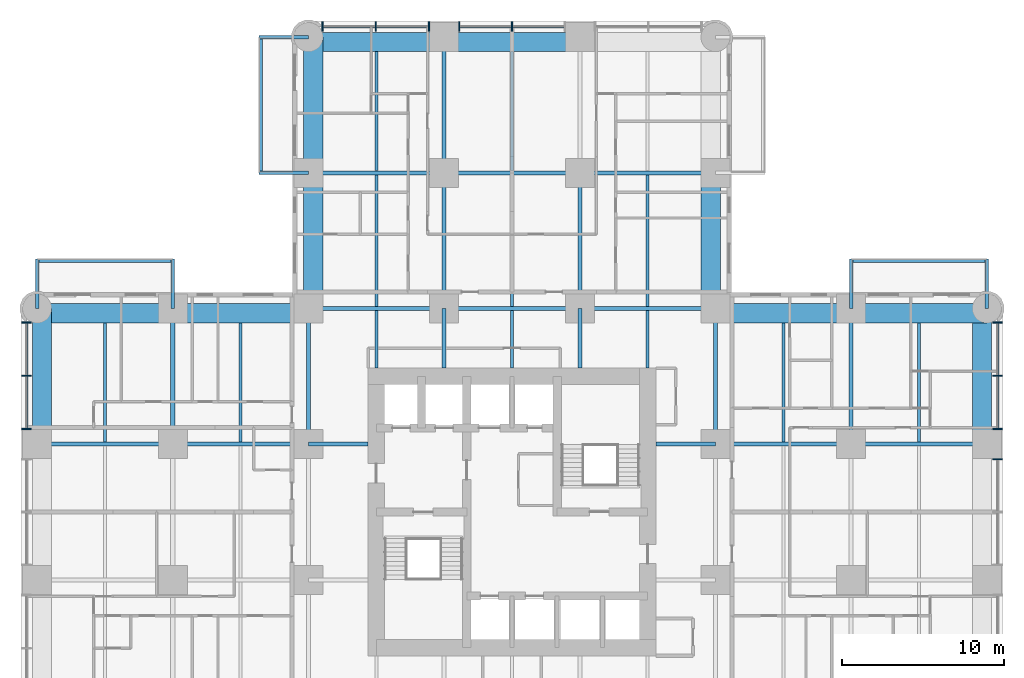
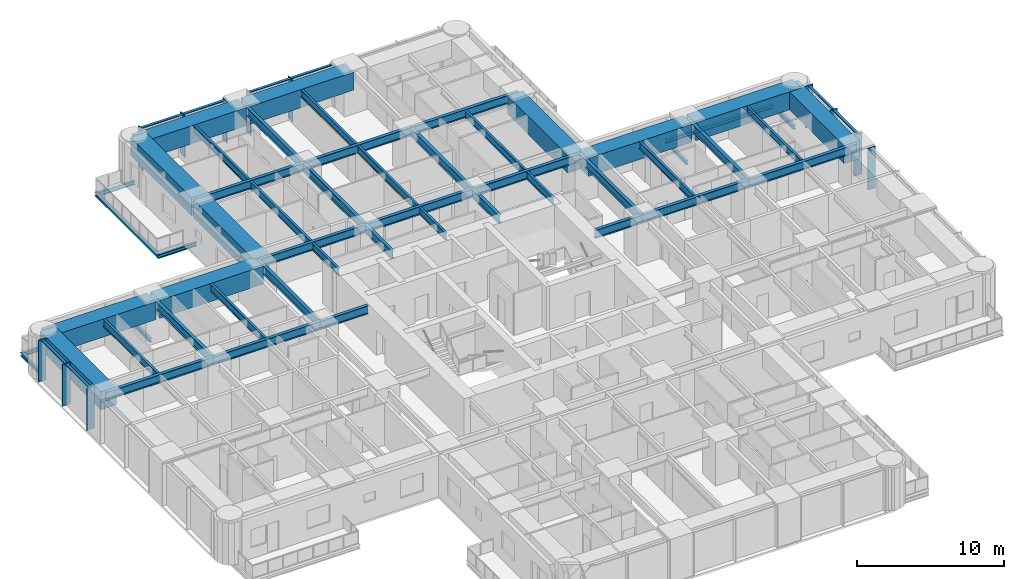
# One storey, part 4 of 17: 53 beams, 20 members, 3 elements without a shape of their own.
"""IFC4 building model written with IfcOpenShell, lengths in metres."""

import ifcopenshell
import ifcopenshell.guid

model = None  # the IFC model being written
_history = None  # IfcOwnerHistory: only IFC2X3 demands one
_inside = {}  # id of a spatial element -> (the spatial element, [elements in it])
_under = {}  # id of a project, library or spatial element -> (it, [spatial elements below it])
_declared = {}  # id of a project -> (the project, [libraries it declares])
_typed = {}  # id of a type object -> (the type object, [elements of that type])
_made_of = {}  # id of a material, layer set ... -> (it, [elements and type objects made of it])


def new_model(schema):
    """Start an empty IFC model of exactly this schema.

    Asked for "IFC4X3", IfcOpenShell would pick the latest addendum, in which some entities
    have other attributes; the version numbers below select the first issue.
    IFC2X3 requires an IfcOwnerHistory on every rooted entity: one is made here for all.
    """
    global model, _history
    if schema == "IFC4X3":
        model = ifcopenshell.file(schema_version=(4, 3, 0, 0))
    else:
        model = ifcopenshell.file(schema=schema)
    _inside.clear()
    _under.clear()
    _declared.clear()
    _typed.clear()
    _made_of.clear()
    _history = None
    if model.schema == "IFC2X3":
        org = make("IfcOrganization", Name="unknown")
        user = make(
            "IfcPersonAndOrganization",
            ThePerson=make("IfcPerson", FamilyName="unknown"),
            TheOrganization=org,
        )
        app = make(
            "IfcApplication",
            ApplicationDeveloper=org,
            Version="unknown",
            ApplicationFullName="unknown",
            ApplicationIdentifier="unknown",
        )
        _history = make(
            "IfcOwnerHistory",
            OwningUser=user,
            OwningApplication=app,
            ChangeAction="ADDED",
            CreationDate=0,
        )
    return model


def make(cls, **values):
    """One entity of the class cls with the attributes given. An attribute that is None is left unset."""
    return model.create_entity(
        cls, **{name: value for name, value in values.items() if value is not None}
    )


def rooted(cls, **values):
    """An entity with a GlobalId (a new one), such as an element, a storey or a relation."""
    return make(cls, GlobalId=ifcopenshell.guid.new(), OwnerHistory=_history, **values)


def si_unit(unit_type, name, prefix=None):
    """IfcSIUnit, for example si_unit("LENGTHUNIT", "METRE", prefix="MILLI")."""
    return make("IfcSIUnit", UnitType=unit_type, Prefix=prefix, Name=name)


def assignment(units):
    """IfcUnitAssignment: the units of a project."""
    return None if units is None else make("IfcUnitAssignment", Units=units)


def point(xyz):
    """IfcCartesianPoint."""
    return None if xyz is None else make("IfcCartesianPoint", Coordinates=xyz)


def direction(xyz):
    """IfcDirection."""
    return None if xyz is None else make("IfcDirection", DirectionRatios=xyz)


def frame(location, z_axis=None, x_axis=None):
    """IfcAxis2Placement3D, a coordinate frame: its origin and axes. An axis left out is left unset."""
    return make(
        "IfcAxis2Placement3D",
        Location=point(location),
        Axis=direction(z_axis),
        RefDirection=direction(x_axis),
    )


def frame_2d(location, x_axis=None):
    """IfcAxis2Placement2D, a coordinate frame in the plane: its origin and x axis."""
    return make(
        "IfcAxis2Placement2D", Location=point(location), RefDirection=direction(x_axis)
    )


def origin():
    """The frame at (0, 0, 0) with its axes left unset."""
    return frame((0.0, 0.0, 0.0))


def origin_2d():
    """The frame at (0, 0) in the plane with its x axis left unset."""
    return frame_2d((0.0, 0.0))


def place(relative_to, where):
    """IfcLocalPlacement: puts the frame where relative to a parent placement (None: the world)."""
    return make(
        "IfcLocalPlacement", PlacementRelTo=relative_to, RelativePlacement=where
    )


def context(
    kind, dimensions, precision=None, world=None, true_north=None, identifier=None
):
    """IfcGeometricRepresentationContext, for example the 3D "Model" context."""
    return make(
        "IfcGeometricRepresentationContext",
        ContextIdentifier=identifier,
        ContextType=kind,
        CoordinateSpaceDimension=dimensions,
        Precision=precision,
        WorldCoordinateSystem=world,
        TrueNorth=true_north,
    )


def subcontext(parent, identifier, kind, view, scale=None):
    """IfcGeometricRepresentationSubContext, for example "Body" below "Model"."""
    return make(
        "IfcGeometricRepresentationSubContext",
        ContextIdentifier=identifier,
        ContextType=kind,
        ParentContext=parent,
        TargetScale=scale,
        TargetView=view,
    )


def project(units=None, contexts=None):
    """IfcProject with its units and contexts."""
    return rooted(
        "IfcProject",
        Name="project",
        RepresentationContexts=contexts,
        UnitsInContext=assignment(units),
    )


def spatial(cls, under=None, at=None, **own):
    """A site, building, storey or space (cls), placed at a placement, below another one or the project."""
    s = rooted(cls, ObjectPlacement=at, **own)
    if under is not None:
        _under.setdefault(under.id(), (under, []))[1].append(s)
    return s


def profile(cls, at=None, kind="AREA", **sizes):
    """A parametric profile (cls). Its sizes go by their IFC names, for example OverallWidth=200.0."""
    return make(cls, ProfileType=kind, Position=at, **sizes)


def rectangle(**sizes):
    """IfcRectangleProfileDef."""
    return profile("IfcRectangleProfileDef", **sizes)


def i_section(**sizes):
    """IfcIShapeProfileDef."""
    return profile("IfcIShapeProfileDef", **sizes)


def extrude(swept, where, along, depth):
    """IfcExtrudedAreaSolid: the profile swept, set in the frame where, extruded along a direction by depth."""
    return make(
        "IfcExtrudedAreaSolid",
        SweptArea=swept,
        Position=where,
        ExtrudedDirection=direction(along),
        Depth=depth,
    )


def shape(context_of_items, identifier, shape_type, items):
    """IfcShapeRepresentation: the items that make up one representation, for example the "Body"."""
    return make(
        "IfcShapeRepresentation",
        ContextOfItems=context_of_items,
        RepresentationIdentifier=identifier,
        RepresentationType=shape_type,
        Items=items,
    )


def material(Name=None, Category=None):
    """IfcMaterial."""
    return make("IfcMaterial", Name=Name, Category=Category)


def material_profile(
    of_material, cross_section, Name=None, Category=None, Priority=None
):
    """IfcMaterialProfile: a cross section and its material."""
    return make(
        "IfcMaterialProfile",
        Name=Name,
        Material=of_material,
        Profile=cross_section,
        Priority=Priority,
        Category=Category,
    )


def profile_set(profiles, Name=None, composite=None):
    """IfcMaterialProfileSet."""
    return make(
        "IfcMaterialProfileSet",
        Name=Name,
        MaterialProfiles=profiles,
        CompositeProfile=composite,
    )


def made_of(thing, what):
    """Note that an element or type object is made of a material, layer set ...; save() writes the relation."""
    if what is not None:
        _made_of.setdefault(what.id(), (what, []))[1].append(thing)
    return thing


def type_object(cls, material=None, **own):
    """A type object (cls), such as IfcWallType, which elements share."""
    return made_of(rooted(cls, **own), material)


def element(
    cls,
    number,
    at=None,
    inside=None,
    cuts=None,
    type_object=None,
    material=None,
    context=None,
    identifier="Body",
    shape_type=None,
    held_by="IfcProductDefinitionShape",
    body=None,
    shapes=None,
    **own,
):
    """One element of the class cls, such as IfcWall. Its Tag is "e" and its number.

    at: its placement. inside: the storey or other place that contains it. cuts: it is an
    opening in that element (IfcRelVoidsElement). A single representation is given by context,
    identifier, shape_type and body (its items); several are given by shapes. held_by: the class
    of the entity that holds the representations. save() writes the other relations.
    """
    e = rooted(cls, Tag="e%d" % number, ObjectPlacement=at, **own)
    if body is not None:
        shapes = [shape(context, identifier, shape_type, body)]
    if shapes is not None:
        e.Representation = make(held_by, Representations=shapes)
    if inside is not None:
        _inside.setdefault(inside.id(), (inside, []))[1].append(e)
    if cuts is not None:
        rooted(
            "IfcRelVoidsElement", RelatingBuildingElement=cuts, RelatedOpeningElement=e
        )
    if type_object is not None:
        _typed.setdefault(type_object.id(), (type_object, []))[1].append(e)
    return made_of(e, material)


def aggregate(whole, parts):
    """IfcRelAggregates: a whole, such as a stair, and the parts it consists of."""
    return rooted("IfcRelAggregates", RelatingObject=whole, RelatedObjects=parts)


def save(model, path):
    """Write the relations noted so far, then the file.

    IfcRelAggregates (storeys below a building ...), IfcRelContainedInSpatialStructure (elements
    in a storey), IfcRelDefinesByType, IfcRelAssociatesMaterial and IfcRelDeclares: one each for
    every whole, place, type object, material and project.
    """
    for whole, parts in _under.values():
        aggregate(whole, parts)
    for where, things in _inside.values():
        rooted(
            "IfcRelContainedInSpatialStructure",
            RelatedElements=things,
            RelatingStructure=where,
        )
    for kind, things in _typed.values():
        rooted("IfcRelDefinesByType", RelatedObjects=things, RelatingType=kind)
    for what, things in _made_of.values():
        rooted("IfcRelAssociatesMaterial", RelatedObjects=things, RelatingMaterial=what)
    for by, libraries in _declared.values():
        rooted("IfcRelDeclares", RelatingContext=by, RelatedDefinitions=libraries)
    model.write(path)


model = new_model("IFC4")

# Units and contexts
model_context = context("Model", 3, precision=1e-05, world=origin(), true_north=direction((0.0, 1.0)))
body_context = subcontext(model_context, "Body", "Model", "MODEL_VIEW")
ifc_project = project(units=[si_unit("LENGTHUNIT", "METRE"), si_unit("AREAUNIT", "SQUARE_METRE"), si_unit("VOLUMEUNIT", "CUBIC_METRE"), si_unit("PLANEANGLEUNIT", "RADIAN"), si_unit("MASSUNIT", "GRAM", prefix="KILO")], contexts=[model_context])

# Site, building, storey
site_placement = place(None, origin())
site = spatial("IfcSite", under=ifc_project, at=site_placement, CompositionType="ELEMENT")
building_placement = place(site_placement, origin())
building = spatial("IfcBuilding", under=site, at=building_placement, Name="Torre Alcanfor", CompositionType="ELEMENT")
storey_placement = place(building_placement, frame((0.0, 0.0, 41.699951171875)))
storey = spatial("IfcBuildingStorey", under=building, at=storey_placement, Name="L09", CompositionType="ELEMENT", Elevation=41.699951171875)

# Beams
ifc_material_1 = material(Name="Steel ASTM A992 Grade 50", Category="steel")
ifc_material_profile_1 = material_profile(ifc_material_1, i_section(OverallWidth=0.205322265625, OverallDepth=0.309814453125, WebThickness=0.00927734375, FlangeThickness=0.016357421875, at=origin_2d()), Name="W12x50")
ifc_profile_set_1 = profile_set([ifc_material_profile_1], Name="Steel ASTM A992 Grade 50")
beam_type_1 = type_object("IfcBeamType", Name="Balcony cantilever beam W12x50", PredefinedType="BEAM", material=ifc_profile_set_1)
for number, where, z_axis, x_axis, name in (
    (1, (16.800048828125, 50.39990234375, -0.35498046875), (-1.0, 0.0, 0.0), (0.0, -1.0, 0.0), "Balcony cantilever beam L09-N1 1"),
    (2, (16.800048828125, 58.800048828125, -0.35498046875), (-1.0, 0.0, 0.0), (0.0, -1.0, 0.0), "Balcony cantilever beam L09-N1 2"),
    (3, (50.39990234375, 42.0, -0.35498046875), (0.0, 1.0, 0.0), (-1.0, 0.0, 0.0), "Balcony cantilever beam L09-E1 1"),
    (4, (58.800048828125, 42.0, -0.35498046875), (0.0, 1.0, 0.0), (-1.0, 0.0, 0.0), "Balcony cantilever beam L09-E1 2"),
    (5, (8.39990234375, 42.0, -0.35498046875), (0.0, 1.0, 0.0), (-1.0, 0.0, 0.0), "Balcony cantilever beam L09-W2 1"),
    (6, (0.0, 42.0, -0.35498046875), (0.0, 1.0, 0.0), (-1.0, 0.0, 0.0), "Balcony cantilever beam L09-W2 2"),
):
    element("IfcBeam", number, at=place(storey_placement, frame(where, z_axis=z_axis, x_axis=x_axis)), inside=storey, type_object=beam_type_1, Name=name, PredefinedType="BEAM", context=body_context, shape_type="SweptSolid", body=[
        extrude(i_section(OverallWidth=0.205322265625, OverallDepth=0.309814453125, WebThickness=0.00927734375, FlangeThickness=0.016357421875, at=origin_2d()), origin(), (0.0, 0.0, 1.0), 3.050048828125),
    ])
ifc_material_2 = material(Name="Steel ASTM A992 Grade 50", Category="steel")
ifc_material_profile_2 = material_profile(ifc_material_2, i_section(OverallWidth=0.203369140625, OverallDepth=0.30224609375, WebThickness=0.007568359375, FlangeThickness=0.01318359375, at=origin_2d()), Name="W12x40")
ifc_profile_set_2 = profile_set([ifc_material_profile_2], Name="Steel ASTM A992 Grade 50")
beam_type_2 = type_object("IfcBeamType", Name="Balcony edge trimmer W12x40", PredefinedType="BEAM", material=ifc_profile_set_2)
for number, where, z_axis, x_axis, name in (
    (7, (13.851806640625, 50.39990234375, -0.35107421875), (0.0, 1.0, 0.0), (-1.0, 0.0, 0.0), "Balcony edge trimmer L09-N1"),
    (8, (50.39990234375, 44.9482421875, -0.35107421875), (1.0, 0.0, 0.0), (0.0, 1.0, 0.0), "Balcony edge trimmer L09-E1"),
):
    element("IfcBeam", number, at=place(storey_placement, frame(where, z_axis=z_axis, x_axis=x_axis)), inside=storey, type_object=beam_type_2, Name=name, PredefinedType="BEAM", context=body_context, shape_type="SweptSolid", body=[
        extrude(i_section(OverallWidth=0.203369140625, OverallDepth=0.30224609375, WebThickness=0.007568359375, FlangeThickness=0.01318359375, at=origin_2d()), origin(), (0.0, 0.0, 1.0), 8.400146484375),
    ])
beam_1_placement = place(storey_placement, frame((8.39990234375, 44.9482421875, -0.35107421875), z_axis=(-1.0, 0.0, 0.0), x_axis=(0.0, -1.0, 0.0)))
element("IfcBeam", 9, at=beam_1_placement, inside=storey, type_object=beam_type_2, Name="Balcony edge trimmer L09-W2", PredefinedType="BEAM", context=body_context, shape_type="SweptSolid", body=[
    extrude(i_section(OverallWidth=0.203369140625, OverallDepth=0.30224609375, WebThickness=0.007568359375, FlangeThickness=0.01318359375, at=origin_2d()), origin(), (0.0, 0.0, 1.0), 8.39990234375),
])

# Curtain wall, members
ifc_material_3 = material(Name="Aluminium and glass", Category="aluminium")
curtain_wall_type = type_object("IfcCurtainWallType", Name="CW-A unitised apartment glazing with vertical FIN", PredefinedType="NOTDEFINED", material=ifc_material_3)
curtain_wall_1_placement = place(storey_placement, origin())
curtain_wall_1 = element("IfcCurtainWall", 10, at=curtain_wall_1_placement, inside=storey, type_object=curtain_wall_type, Name="Curtain wall CW-A L09 2", PredefinedType="NOTDEFINED")
ifc_material_4 = material(Name="Bronze anodised aluminium", Category="aluminium")
ifc_material_profile_3 = material_profile(ifc_material_4, rectangle(XDim=0.60009765625, YDim=0.06494140625, at=origin_2d()), Name="CW-A mullion 65x600")
ifc_profile_set_3 = profile_set([ifc_material_profile_3], Name="Bronze anodised aluminium")
member_type_1 = type_object("IfcMemberType", Name="CW-A mullion with vertical FIN 65x600", PredefinedType="MULLION", material=ifc_profile_set_3)
member_1_placement = place(storey_placement, frame((-0.64990234375, 41.133056640625, 0.0), z_axis=(0.0, 0.0, 1.0), x_axis=(1.0, 0.0, 0.0)))
member_1 = element("IfcMember", 11, at=member_1_placement, type_object=member_type_1, Name="CW-A mullion 1.1", PredefinedType="MULLION", context=body_context, shape_type="SweptSolid", body=[
    extrude(rectangle(XDim=0.60009765625, YDim=0.06494140625, at=origin_2d()), origin(), (0.0, 0.0, 1.0), 3.449951171875),
])
member_2_placement = place(storey_placement, frame((-0.64990234375, 37.835205078125, 0.0), z_axis=(0.0, 0.0, 1.0), x_axis=(1.0, 0.0, 0.0)))
member_2 = element("IfcMember", 12, at=member_2_placement, type_object=member_type_1, Name="CW-A mullion 1.2", PredefinedType="MULLION", context=body_context, shape_type="SweptSolid", body=[
    extrude(rectangle(XDim=0.60009765625, YDim=0.06494140625, at=origin_2d()), origin(), (0.0, 0.0, 1.0), 3.449951171875),
])
member_3_placement = place(storey_placement, frame((-0.64990234375, 34.53759765625, 0.0), z_axis=(0.0, 0.0, 1.0), x_axis=(1.0, 0.0, 0.0)))
member_3 = element("IfcMember", 13, at=member_3_placement, type_object=member_type_1, Name="CW-A mullion 1.3", PredefinedType="MULLION", context=body_context, shape_type="SweptSolid", body=[
    extrude(rectangle(XDim=0.60009765625, YDim=0.06494140625, at=origin_2d()), origin(), (0.0, 0.0, 1.0), 3.449951171875),
])

curtain_wall_2_placement = place(storey_placement, origin())
curtain_wall_2 = element("IfcCurtainWall", 14, at=curtain_wall_2_placement, inside=storey, type_object=curtain_wall_type, Name="Curtain wall CW-A L09 8", PredefinedType="NOTDEFINED")
member_4_placement = place(storey_placement, frame((59.449951171875, 32.66259765625, 0.0), z_axis=(0.0, 0.0, 1.0), x_axis=(-1.0, 0.0, 0.0)))
member_4 = element("IfcMember", 15, at=member_4_placement, type_object=member_type_1, Name="CW-A mullion 2.3", PredefinedType="MULLION", context=body_context, shape_type="SweptSolid", body=[
    extrude(rectangle(XDim=0.60009765625, YDim=0.06494140625, at=origin_2d()), origin(), (0.0, 0.0, 1.0), 3.449951171875),
])
member_5_placement = place(storey_placement, frame((59.449951171875, 34.53759765625, 0.0), z_axis=(0.0, 0.0, 1.0), x_axis=(-1.0, 0.0, 0.0)))
member_5 = element("IfcMember", 16, at=member_5_placement, type_object=member_type_1, Name="CW-A mullion 3.1", PredefinedType="MULLION", context=body_context, shape_type="SweptSolid", body=[
    extrude(rectangle(XDim=0.60009765625, YDim=0.06494140625, at=origin_2d()), origin(), (0.0, 0.0, 1.0), 3.449951171875),
])
member_6_placement = place(storey_placement, frame((59.449951171875, 37.835205078125, 0.0), z_axis=(0.0, 0.0, 1.0), x_axis=(-1.0, 0.0, 0.0)))
member_6 = element("IfcMember", 17, at=member_6_placement, type_object=member_type_1, Name="CW-A mullion 3.2", PredefinedType="MULLION", context=body_context, shape_type="SweptSolid", body=[
    extrude(rectangle(XDim=0.60009765625, YDim=0.06494140625, at=origin_2d()), origin(), (0.0, 0.0, 1.0), 3.449951171875),
])
member_7_placement = place(storey_placement, frame((59.449951171875, 41.133056640625, 0.0), z_axis=(0.0, 0.0, 1.0), x_axis=(-1.0, 0.0, 0.0)))
member_7 = element("IfcMember", 18, at=member_7_placement, type_object=member_type_1, Name="CW-A mullion 3.3", PredefinedType="MULLION", context=body_context, shape_type="SweptSolid", body=[
    extrude(rectangle(XDim=0.60009765625, YDim=0.06494140625, at=origin_2d()), origin(), (0.0, 0.0, 1.0), 3.449951171875),
])

curtain_wall_3_placement = place(storey_placement, origin())
curtain_wall_3 = element("IfcCurtainWall", 19, at=curtain_wall_3_placement, inside=storey, type_object=curtain_wall_type, Name="Curtain wall CW-A L09 11", PredefinedType="NOTDEFINED")
member_8_placement = place(storey_placement, frame((29.39990234375, 59.449951171875, 0.0), z_axis=(0.0, 0.0, 1.0), x_axis=(0.0, -1.0, 0.0)))
member_8 = element("IfcMember", 20, at=member_8_placement, type_object=member_type_1, Name="CW-A mullion 2.2", PredefinedType="MULLION", context=body_context, shape_type="SweptSolid", body=[
    extrude(rectangle(XDim=0.60009765625, YDim=0.06494140625, at=origin_2d()), origin(), (0.0, 0.0, 1.0), 3.449951171875),
])
member_9_placement = place(storey_placement, frame((26.137451171875, 59.449951171875, 0.0), z_axis=(0.0, 0.0, 1.0), x_axis=(0.0, -1.0, 0.0)))
member_9 = element("IfcMember", 21, at=member_9_placement, type_object=member_type_1, Name="CW-A mullion 2.3", PredefinedType="MULLION", context=body_context, shape_type="SweptSolid", body=[
    extrude(rectangle(XDim=0.60009765625, YDim=0.06494140625, at=origin_2d()), origin(), (0.0, 0.0, 1.0), 3.449951171875),
])
member_10_placement = place(storey_placement, frame((24.262451171875, 59.449951171875, 0.0), z_axis=(0.0, 0.0, 1.0), x_axis=(0.0, -1.0, 0.0)))
member_10 = element("IfcMember", 22, at=member_10_placement, type_object=member_type_1, Name="CW-A mullion 3.1", PredefinedType="MULLION", context=body_context, shape_type="SweptSolid", body=[
    extrude(rectangle(XDim=0.60009765625, YDim=0.06494140625, at=origin_2d()), origin(), (0.0, 0.0, 1.0), 3.449951171875),
])
member_11_placement = place(storey_placement, frame((20.96484375, 59.449951171875, 0.0), z_axis=(0.0, 0.0, 1.0), x_axis=(0.0, -1.0, 0.0)))
member_11 = element("IfcMember", 23, at=member_11_placement, type_object=member_type_1, Name="CW-A mullion 3.2", PredefinedType="MULLION", context=body_context, shape_type="SweptSolid", body=[
    extrude(rectangle(XDim=0.60009765625, YDim=0.06494140625, at=origin_2d()), origin(), (0.0, 0.0, 1.0), 3.449951171875),
])
member_12_placement = place(storey_placement, frame((17.6669921875, 59.449951171875, 0.0), z_axis=(0.0, 0.0, 1.0), x_axis=(0.0, -1.0, 0.0)))
member_12 = element("IfcMember", 24, at=member_12_placement, type_object=member_type_1, Name="CW-A mullion 3.3", PredefinedType="MULLION", context=body_context, shape_type="SweptSolid", body=[
    extrude(rectangle(XDim=0.60009765625, YDim=0.06494140625, at=origin_2d()), origin(), (0.0, 0.0, 1.0), 3.449951171875),
])

# Member
ifc_material_5 = material(Name="Extruded aluminium", Category="aluminium")
ifc_material_profile_4 = material_profile(ifc_material_5, rectangle(XDim=0.199951171875, YDim=0.06494140625, at=origin_2d()), Name="CW-A transom 200x65")
ifc_profile_set_4 = profile_set([ifc_material_profile_4], Name="Extruded aluminium")
member_type_2 = type_object("IfcMemberType", Name="CW-A transom 65x200", PredefinedType="USERDEFINED", material=ifc_profile_set_4)
member_13_placement = place(storey_placement, frame((-0.64990234375, 41.1005859375, 3.41748046875), z_axis=(0.0, -1.0, 0.0), x_axis=(1.0, 0.0, 0.0)))
member_13 = element("IfcMember", 25, at=member_13_placement, type_object=member_type_2, Name="CW-A transom 1.1.2", ObjectType="TRANSOM", PredefinedType="USERDEFINED", context=body_context, shape_type="SweptSolid", body=[
    extrude(rectangle(XDim=0.199951171875, YDim=0.06494140625, at=origin_2d()), origin(), (0.0, 0.0, 1.0), 3.23291015625),
])

member_14_placement = place(storey_placement, frame((-0.64990234375, 37.802734375, 3.41748046875), z_axis=(0.0, -1.0, 0.0), x_axis=(1.0, 0.0, 0.0)))
member_14 = element("IfcMember", 26, at=member_14_placement, type_object=member_type_2, Name="CW-A transom 1.2.2", ObjectType="TRANSOM", PredefinedType="USERDEFINED", context=body_context, shape_type="SweptSolid", body=[
    extrude(rectangle(XDim=0.199951171875, YDim=0.06494140625, at=origin_2d()), origin(), (0.0, 0.0, 1.0), 3.232666015625),
])

aggregate(curtain_wall_1, [member_1, member_2, member_3, member_13, member_14])

member_15_placement = place(storey_placement, frame((59.449951171875, 34.570068359375, 3.41748046875), z_axis=(0.0, 1.0, 0.0), x_axis=(-1.0, 0.0, 0.0)))
member_15 = element("IfcMember", 27, at=member_15_placement, type_object=member_type_2, Name="CW-A transom 3.1.2", ObjectType="TRANSOM", PredefinedType="USERDEFINED", context=body_context, shape_type="SweptSolid", body=[
    extrude(rectangle(XDim=0.199951171875, YDim=0.06494140625, at=origin_2d()), origin(), (0.0, 0.0, 1.0), 3.232666015625),
])

member_16_placement = place(storey_placement, frame((59.449951171875, 37.86767578125, 3.41748046875), z_axis=(0.0, 1.0, 0.0), x_axis=(-1.0, 0.0, 0.0)))
member_16 = element("IfcMember", 28, at=member_16_placement, type_object=member_type_2, Name="CW-A transom 3.2.2", ObjectType="TRANSOM", PredefinedType="USERDEFINED", context=body_context, shape_type="SweptSolid", body=[
    extrude(rectangle(XDim=0.199951171875, YDim=0.06494140625, at=origin_2d()), origin(), (0.0, 0.0, 1.0), 3.23291015625),
])

aggregate(curtain_wall_2, [member_4, member_5, member_6, member_7, member_15, member_16])

member_17_placement = place(storey_placement, frame((32.6298828125, 59.449951171875, 3.41748046875), z_axis=(-1.0, 0.0, 0.0), x_axis=(0.0, -1.0, 0.0)))
member_17 = element("IfcMember", 29, at=member_17_placement, type_object=member_type_2, Name="CW-A transom 2.1.2", ObjectType="TRANSOM", PredefinedType="USERDEFINED", context=body_context, shape_type="SweptSolid", body=[
    extrude(rectangle(XDim=0.199951171875, YDim=0.06494140625, at=origin_2d()), origin(), (0.0, 0.0, 1.0), 3.197265625),
])

member_18_placement = place(storey_placement, frame((29.367431640625, 59.449951171875, 3.41748046875), z_axis=(-1.0, 0.0, 0.0), x_axis=(0.0, -1.0, 0.0)))
member_18 = element("IfcMember", 30, at=member_18_placement, type_object=member_type_2, Name="CW-A transom 2.2.2", ObjectType="TRANSOM", PredefinedType="USERDEFINED", context=body_context, shape_type="SweptSolid", body=[
    extrude(rectangle(XDim=0.199951171875, YDim=0.06494140625, at=origin_2d()), origin(), (0.0, 0.0, 1.0), 3.197509765625),
])

member_19_placement = place(storey_placement, frame((24.22998046875, 59.449951171875, 3.41748046875), z_axis=(-1.0, 0.0, 0.0), x_axis=(0.0, -1.0, 0.0)))
member_19 = element("IfcMember", 31, at=member_19_placement, type_object=member_type_2, Name="CW-A transom 3.1.2", ObjectType="TRANSOM", PredefinedType="USERDEFINED", context=body_context, shape_type="SweptSolid", body=[
    extrude(rectangle(XDim=0.199951171875, YDim=0.06494140625, at=origin_2d()), origin(), (0.0, 0.0, 1.0), 3.232666015625),
])

member_20_placement = place(storey_placement, frame((20.93212890625, 59.449951171875, 3.41748046875), z_axis=(-1.0, 0.0, 0.0), x_axis=(0.0, -1.0, 0.0)))
member_20 = element("IfcMember", 32, at=member_20_placement, type_object=member_type_2, Name="CW-A transom 3.2.2", ObjectType="TRANSOM", PredefinedType="USERDEFINED", context=body_context, shape_type="SweptSolid", body=[
    extrude(rectangle(XDim=0.199951171875, YDim=0.06494140625, at=origin_2d()), origin(), (0.0, 0.0, 1.0), 3.232666015625),
])

aggregate(curtain_wall_3, [member_8, member_9, member_17, member_18, member_10, member_11, member_12, member_19, member_20])

# Beams
ifc_material_6 = material(Name="Steel ASTM A992 Grade 50", Category="steel")
ifc_material_profile_5 = material_profile(ifc_material_6, i_section(OverallWidth=0.25390625, OverallDepth=0.683349609375, WebThickness=0.012451171875, FlangeThickness=0.01904296875, at=origin_2d()), Name="W27x94")
ifc_profile_set_5 = profile_set([ifc_material_profile_5], Name="Steel ASTM A992 Grade 50")
beam_type_3 = type_object("IfcBeamType", Name="Girder W27x94", PredefinedType="BEAM", material=ifc_profile_set_5)
beam_2_placement = place(storey_placement, frame((0.0, 33.60009765625, 3.1083984375), z_axis=(1.0, 0.0, 0.0), x_axis=(0.0, 1.0, 0.0)))
element("IfcBeam", 33, at=beam_2_placement, inside=storey, type_object=beam_type_3, Name="Beam 1G-2G under L10", PredefinedType="BEAM", context=body_context, shape_type="SweptSolid", body=[
    extrude(i_section(OverallWidth=0.25390625, OverallDepth=0.683349609375, WebThickness=0.012451171875, FlangeThickness=0.01904296875, at=origin_2d()), origin(), (0.0, 0.0, 1.0), 8.39990234375),
])
beam_3_placement = place(storey_placement, frame((8.39990234375, 33.60009765625, 3.1083984375), z_axis=(1.0, 0.0, 0.0), x_axis=(0.0, 1.0, 0.0)))
element("IfcBeam", 34, at=beam_3_placement, inside=storey, type_object=beam_type_3, Name="Beam 2G-3G under L10", PredefinedType="BEAM", context=body_context, shape_type="SweptSolid", body=[
    extrude(i_section(OverallWidth=0.25390625, OverallDepth=0.683349609375, WebThickness=0.012451171875, FlangeThickness=0.01904296875, at=origin_2d()), origin(), (0.0, 0.0, 1.0), 8.400146484375),
])
beam_4_placement = place(storey_placement, frame((42.0, 33.60009765625, 3.1083984375), z_axis=(1.0, 0.0, 0.0), x_axis=(0.0, 1.0, 0.0)))
element("IfcBeam", 35, at=beam_4_placement, inside=storey, type_object=beam_type_3, Name="Beam 6G-7G under L10", PredefinedType="BEAM", context=body_context, shape_type="SweptSolid", body=[
    extrude(i_section(OverallWidth=0.25390625, OverallDepth=0.683349609375, WebThickness=0.012451171875, FlangeThickness=0.01904296875, at=origin_2d()), origin(), (0.0, 0.0, 1.0), 8.39990234375),
])
beam_5_placement = place(storey_placement, frame((50.39990234375, 33.60009765625, 3.1083984375), z_axis=(1.0, 0.0, 0.0), x_axis=(0.0, 1.0, 0.0)))
element("IfcBeam", 36, at=beam_5_placement, inside=storey, type_object=beam_type_3, Name="Beam 7G-8G under L10", PredefinedType="BEAM", context=body_context, shape_type="SweptSolid", body=[
    extrude(i_section(OverallWidth=0.25390625, OverallDepth=0.683349609375, WebThickness=0.012451171875, FlangeThickness=0.01904296875, at=origin_2d()), origin(), (0.0, 0.0, 1.0), 8.400146484375),
])
beam_6_placement = place(storey_placement, frame((16.800048828125, 42.0, 3.1083984375), z_axis=(1.0, 0.0, 0.0), x_axis=(0.0, 1.0, 0.0)))
element("IfcBeam", 37, at=beam_6_placement, inside=storey, type_object=beam_type_3, Name="Beam 3H-4H under L10", PredefinedType="BEAM", context=body_context, shape_type="SweptSolid", body=[
    extrude(i_section(OverallWidth=0.25390625, OverallDepth=0.683349609375, WebThickness=0.012451171875, FlangeThickness=0.01904296875, at=origin_2d()), origin(), (0.0, 0.0, 1.0), 8.39990234375),
])
beam_7_placement = place(storey_placement, frame((25.199951171875, 42.0, 3.1083984375), z_axis=(1.0, 0.0, 0.0), x_axis=(0.0, 1.0, 0.0)))
element("IfcBeam", 38, at=beam_7_placement, inside=storey, type_object=beam_type_3, Name="Beam 4H-5H under L10", PredefinedType="BEAM", context=body_context, shape_type="SweptSolid", body=[
    extrude(i_section(OverallWidth=0.25390625, OverallDepth=0.683349609375, WebThickness=0.012451171875, FlangeThickness=0.01904296875, at=origin_2d()), origin(), (0.0, 0.0, 1.0), 8.400146484375),
])
for number, where, z_axis, x_axis, name in (
    (39, (33.60009765625, 42.0, 3.1083984375), (1.0, 0.0, 0.0), (0.0, 1.0, 0.0), "Beam 5H-6H under L10"),
    (40, (16.800048828125, 50.39990234375, 3.1083984375), (1.0, 0.0, 0.0), (0.0, 1.0, 0.0), "Beam 3J-4J under L10"),
):
    element("IfcBeam", number, at=place(storey_placement, frame(where, z_axis=z_axis, x_axis=x_axis)), inside=storey, type_object=beam_type_3, Name=name, PredefinedType="BEAM", context=body_context, shape_type="SweptSolid", body=[
        extrude(i_section(OverallWidth=0.25390625, OverallDepth=0.683349609375, WebThickness=0.012451171875, FlangeThickness=0.01904296875, at=origin_2d()), origin(), (0.0, 0.0, 1.0), 8.39990234375),
    ])
beam_8_placement = place(storey_placement, frame((25.199951171875, 50.39990234375, 3.1083984375), z_axis=(1.0, 0.0, 0.0), x_axis=(0.0, 1.0, 0.0)))
element("IfcBeam", 41, at=beam_8_placement, inside=storey, type_object=beam_type_3, Name="Beam 4J-5J under L10", PredefinedType="BEAM", context=body_context, shape_type="SweptSolid", body=[
    extrude(i_section(OverallWidth=0.25390625, OverallDepth=0.683349609375, WebThickness=0.012451171875, FlangeThickness=0.01904296875, at=origin_2d()), origin(), (0.0, 0.0, 1.0), 8.400146484375),
])
for number, where, z_axis, x_axis, name in (
    (42, (33.60009765625, 50.39990234375, 3.1083984375), (1.0, 0.0, 0.0), (0.0, 1.0, 0.0), "Beam 5J-6J under L10"),
    (43, (8.39990234375, 33.60009765625, 3.1083984375), (0.0, 1.0, 0.0), (-1.0, 0.0, 0.0), "Beam 2G-2H under L10"),
    (44, (16.800048828125, 33.60009765625, 3.1083984375), (0.0, 1.0, 0.0), (-1.0, 0.0, 0.0), "Beam 3G-3H under L10"),
    (45, (25.199951171875, 42.0, 3.1083984375), (0.0, 1.0, 0.0), (-1.0, 0.0, 0.0), "Beam 4H-4J under L10"),
):
    element("IfcBeam", number, at=place(storey_placement, frame(where, z_axis=z_axis, x_axis=x_axis)), inside=storey, type_object=beam_type_3, Name=name, PredefinedType="BEAM", context=body_context, shape_type="SweptSolid", body=[
        extrude(i_section(OverallWidth=0.25390625, OverallDepth=0.683349609375, WebThickness=0.012451171875, FlangeThickness=0.01904296875, at=origin_2d()), origin(), (0.0, 0.0, 1.0), 8.39990234375),
    ])
beam_9_placement = place(storey_placement, frame((25.199951171875, 50.39990234375, 3.1083984375), z_axis=(0.0, 1.0, 0.0), x_axis=(-1.0, 0.0, 0.0)))
element("IfcBeam", 46, at=beam_9_placement, inside=storey, type_object=beam_type_3, Name="Beam 4J-4K under L10", PredefinedType="BEAM", context=body_context, shape_type="SweptSolid", body=[
    extrude(i_section(OverallWidth=0.25390625, OverallDepth=0.683349609375, WebThickness=0.012451171875, FlangeThickness=0.01904296875, at=origin_2d()), origin(), (0.0, 0.0, 1.0), 8.400146484375),
])
for number, where, z_axis, x_axis, name in (
    (47, (33.60009765625, 42.0, 3.1083984375), (0.0, 1.0, 0.0), (-1.0, 0.0, 0.0), "Beam 5H-5J under L10"),
    (48, (42.0, 33.60009765625, 3.1083984375), (0.0, 1.0, 0.0), (-1.0, 0.0, 0.0), "Beam 6G-6H under L10"),
    (49, (50.39990234375, 33.60009765625, 3.1083984375), (0.0, 1.0, 0.0), (-1.0, 0.0, 0.0), "Beam 7G-7H under L10"),
):
    element("IfcBeam", number, at=place(storey_placement, frame(where, z_axis=z_axis, x_axis=x_axis)), inside=storey, type_object=beam_type_3, Name=name, PredefinedType="BEAM", context=body_context, shape_type="SweptSolid", body=[
        extrude(i_section(OverallWidth=0.25390625, OverallDepth=0.683349609375, WebThickness=0.012451171875, FlangeThickness=0.01904296875, at=origin_2d()), origin(), (0.0, 0.0, 1.0), 8.39990234375),
    ])
ifc_material_7 = material(Name="Steel ASTM A992 Grade 50", Category="steel")
ifc_material_profile_6 = material_profile(ifc_material_7, i_section(OverallWidth=0.25390625, OverallDepth=0.683349609375, WebThickness=0.012451171875, FlangeThickness=0.01904296875, at=origin_2d()), Name="W27x94")
ifc_profile_set_6 = profile_set([ifc_material_profile_6], Name="Steel ASTM A992 Grade 50")
beam_type_4 = type_object("IfcBeamType", Name="Girder, part bay W27x94", PredefinedType="BEAM", material=ifc_profile_set_6)
for number, where, z_axis, x_axis, name in (
    (50, (25.199951171875, 42.0, 3.1083984375), (0.0, -1.0, 0.0), (1.0, 0.0, 0.0), "Beam 4H-438_3 under L10"),
    (51, (33.60009765625, 42.0, 3.1083984375), (0.0, -1.0, 0.0), (1.0, 0.0, 0.0), "Beam 5H-538_3 under L10"),
    (52, (16.800048828125, 33.60009765625, 3.1083984375), (1.0, 0.0, 0.0), (0.0, 1.0, 0.0), "Beam 3G-20_5G under L10"),
    (53, (42.0, 33.60009765625, 3.1083984375), (-1.0, 0.0, 0.0), (0.0, -1.0, 0.0), "Beam 6G-38_3G under L10"),
):
    element("IfcBeam", number, at=place(storey_placement, frame(where, z_axis=z_axis, x_axis=x_axis)), inside=storey, type_object=beam_type_4, Name=name, PredefinedType="BEAM", context=body_context, shape_type="SweptSolid", body=[
        extrude(i_section(OverallWidth=0.25390625, OverallDepth=0.683349609375, WebThickness=0.012451171875, FlangeThickness=0.01904296875, at=origin_2d()), origin(), (0.0, 0.0, 1.0), 3.699951171875),
    ])
ifc_material_8 = material(Name="Concrete f'c 70 MPa", Category="concrete")
ifc_material_profile_7 = material_profile(ifc_material_8, rectangle(XDim=1.199951171875, YDim=1.5, at=origin_2d()), Name="1200x1500")
ifc_profile_set_7 = profile_set([ifc_material_profile_7], Name="Concrete f'c 70 MPa")
beam_type_5 = type_object("IfcBeamType", Name="RC perimeter beam 1200x1500", PredefinedType="BEAM", material=ifc_profile_set_7)
beam_10_placement = place(storey_placement, frame((0.0, 41.699951171875, 2.699951171875), z_axis=(1.0, 0.0, 0.0), x_axis=(0.0, 1.0, 0.0)))
element("IfcBeam", 54, at=beam_10_placement, inside=storey, type_object=beam_type_5, Name="Beam 1H-2H under L10", PredefinedType="BEAM", context=body_context, shape_type="SweptSolid", body=[
    extrude(rectangle(XDim=1.199951171875, YDim=1.5, at=origin_2d()), origin(), (0.0, 0.0, 1.0), 8.27294921875),
])
for number, where, z_axis, x_axis, name in (
    (55, (8.527099609375, 41.699951171875, 2.699951171875), (1.0, 0.0, 0.0), (0.0, 1.0, 0.0), "Beam 2H-3H under L10"),
    (56, (42.126953125, 41.699951171875, 2.699951171875), (1.0, 0.0, 0.0), (0.0, 1.0, 0.0), "Beam 6H-7H under L10"),
):
    element("IfcBeam", number, at=place(storey_placement, frame(where, z_axis=z_axis, x_axis=x_axis)), inside=storey, type_object=beam_type_5, Name=name, PredefinedType="BEAM", context=body_context, shape_type="SweptSolid", body=[
        extrude(rectangle(XDim=1.199951171875, YDim=1.5, at=origin_2d()), origin(), (0.0, 0.0, 1.0), 8.14599609375),
    ])
for number, where, z_axis, x_axis, name in (
    (57, (50.527099609375, 41.699951171875, 2.699951171875), (1.0, 0.0, 0.0), (0.0, 1.0, 0.0), "Beam 7H-8H under L10"),
    (58, (16.800048828125, 58.5, 2.699951171875), (1.0, 0.0, 0.0), (0.0, 1.0, 0.0), "Beam 3K-4K under L10"),
):
    element("IfcBeam", number, at=place(storey_placement, frame(where, z_axis=z_axis, x_axis=x_axis)), inside=storey, type_object=beam_type_5, Name=name, PredefinedType="BEAM", context=body_context, shape_type="SweptSolid", body=[
        extrude(rectangle(XDim=1.199951171875, YDim=1.5, at=origin_2d()), origin(), (0.0, 0.0, 1.0), 8.27294921875),
    ])
beam_11_placement = place(storey_placement, frame((25.326904296875, 58.5, 2.699951171875), z_axis=(1.0, 0.0, 0.0), x_axis=(0.0, 1.0, 0.0)))
element("IfcBeam", 59, at=beam_11_placement, inside=storey, type_object=beam_type_5, Name="Beam 4K-5K under L10", PredefinedType="BEAM", context=body_context, shape_type="SweptSolid", body=[
    extrude(rectangle(XDim=1.199951171875, YDim=1.5, at=origin_2d()), origin(), (0.0, 0.0, 1.0), 8.14599609375),
])
beam_12_placement = place(storey_placement, frame((0.300048828125, 33.72705078125, 2.699951171875), z_axis=(0.0, 1.0, 0.0), x_axis=(-1.0, 0.0, 0.0)))
element("IfcBeam", 60, at=beam_12_placement, inside=storey, type_object=beam_type_5, Name="Beam 1G-1H under L10", PredefinedType="BEAM", context=body_context, shape_type="SweptSolid", body=[
    extrude(rectangle(XDim=1.199951171875, YDim=1.5, at=origin_2d()), origin(), (0.0, 0.0, 1.0), 8.27294921875),
])
beam_13_placement = place(storey_placement, frame((17.10009765625, 42.126953125, 2.699951171875), z_axis=(0.0, 1.0, 0.0), x_axis=(-1.0, 0.0, 0.0)))
element("IfcBeam", 61, at=beam_13_placement, inside=storey, type_object=beam_type_5, Name="Beam 3H-3J under L10", PredefinedType="BEAM", context=body_context, shape_type="SweptSolid", body=[
    extrude(rectangle(XDim=1.199951171875, YDim=1.5, at=origin_2d()), origin(), (0.0, 0.0, 1.0), 8.14599609375),
])
beam_14_placement = place(storey_placement, frame((17.10009765625, 50.527099609375, 2.699951171875), z_axis=(0.0, 1.0, 0.0), x_axis=(-1.0, 0.0, 0.0)))
element("IfcBeam", 62, at=beam_14_placement, inside=storey, type_object=beam_type_5, Name="Beam 3J-3K under L10", PredefinedType="BEAM", context=body_context, shape_type="SweptSolid", body=[
    extrude(rectangle(XDim=1.199951171875, YDim=1.5, at=origin_2d()), origin(), (0.0, 0.0, 1.0), 8.27294921875),
])
beam_15_placement = place(storey_placement, frame((41.699951171875, 42.126953125, 2.699951171875), z_axis=(0.0, 1.0, 0.0), x_axis=(-1.0, 0.0, 0.0)))
element("IfcBeam", 63, at=beam_15_placement, inside=storey, type_object=beam_type_5, Name="Beam 6H-6J under L10", PredefinedType="BEAM", context=body_context, shape_type="SweptSolid", body=[
    extrude(rectangle(XDim=1.199951171875, YDim=1.5, at=origin_2d()), origin(), (0.0, 0.0, 1.0), 8.14599609375),
])
beam_16_placement = place(storey_placement, frame((58.5, 33.72705078125, 2.699951171875), z_axis=(0.0, 1.0, 0.0), x_axis=(-1.0, 0.0, 0.0)))
element("IfcBeam", 64, at=beam_16_placement, inside=storey, type_object=beam_type_5, Name="Beam 8G-8H under L10", PredefinedType="BEAM", context=body_context, shape_type="SweptSolid", body=[
    extrude(rectangle(XDim=1.199951171875, YDim=1.5, at=origin_2d()), origin(), (0.0, 0.0, 1.0), 8.27294921875),
])
ifc_material_9 = material(Name="Steel ASTM A992 Grade 50", Category="steel")
ifc_material_profile_8 = material_profile(ifc_material_9, i_section(OverallWidth=0.1787109375, OverallDepth=0.60205078125, WebThickness=0.010986328125, FlangeThickness=0.014892578125, at=origin_2d()), Name="W24x62")
ifc_profile_set_8 = profile_set([ifc_material_profile_8], Name="Steel ASTM A992 Grade 50")
beam_type_6 = type_object("IfcBeamType", Name="Secondary beam W24x62", PredefinedType="BEAM", material=ifc_profile_set_8)
for number, where, z_axis, x_axis, name in (
    (65, (4.199951171875, 33.72705078125, 3.149169921875), (0.0, 1.0, 0.0), (-1.0, 0.0, 0.0), "Beam 4_2G-4_2H under L10"),
    (66, (12.60009765625, 33.72705078125, 3.149169921875), (0.0, 1.0, 0.0), (-1.0, 0.0, 0.0), "Beam 12_6G-12_6H under L10"),
):
    element("IfcBeam", number, at=place(storey_placement, frame(where, z_axis=z_axis, x_axis=x_axis)), inside=storey, type_object=beam_type_6, Name=name, PredefinedType="BEAM", context=body_context, shape_type="SweptSolid", body=[
        extrude(i_section(OverallWidth=0.1787109375, OverallDepth=0.60205078125, WebThickness=0.010986328125, FlangeThickness=0.014892578125, at=origin_2d()), origin(), (0.0, 0.0, 1.0), 7.373046875),
    ])
beam_17_placement = place(storey_placement, frame((21.0, 42.126953125, 3.149169921875), z_axis=(0.0, 1.0, 0.0), x_axis=(-1.0, 0.0, 0.0)))
element("IfcBeam", 67, at=beam_17_placement, inside=storey, type_object=beam_type_6, Name="Beam 21H-21J under L10", PredefinedType="BEAM", context=body_context, shape_type="SweptSolid", body=[
    extrude(i_section(OverallWidth=0.1787109375, OverallDepth=0.60205078125, WebThickness=0.010986328125, FlangeThickness=0.014892578125, at=origin_2d()), origin(), (0.0, 0.0, 1.0), 8.14599609375),
])
beam_18_placement = place(storey_placement, frame((21.0, 50.527099609375, 3.149169921875), z_axis=(0.0, 1.0, 0.0), x_axis=(-1.0, 0.0, 0.0)))
element("IfcBeam", 68, at=beam_18_placement, inside=storey, type_object=beam_type_6, Name="Beam 21J-21K under L10", PredefinedType="BEAM", context=body_context, shape_type="SweptSolid", body=[
    extrude(i_section(OverallWidth=0.1787109375, OverallDepth=0.60205078125, WebThickness=0.010986328125, FlangeThickness=0.014892578125, at=origin_2d()), origin(), (0.0, 0.0, 1.0), 7.372802734375),
])
beam_19_placement = place(storey_placement, frame((29.39990234375, 42.126953125, 3.149169921875), z_axis=(0.0, 1.0, 0.0), x_axis=(-1.0, 0.0, 0.0)))
element("IfcBeam", 69, at=beam_19_placement, inside=storey, type_object=beam_type_6, Name="Beam 29_4H-29_4J under L10", PredefinedType="BEAM", context=body_context, shape_type="SweptSolid", body=[
    extrude(i_section(OverallWidth=0.1787109375, OverallDepth=0.60205078125, WebThickness=0.010986328125, FlangeThickness=0.014892578125, at=origin_2d()), origin(), (0.0, 0.0, 1.0), 8.14599609375),
])
beam_20_placement = place(storey_placement, frame((29.39990234375, 50.527099609375, 3.149169921875), z_axis=(0.0, 1.0, 0.0), x_axis=(-1.0, 0.0, 0.0)))
element("IfcBeam", 70, at=beam_20_placement, inside=storey, type_object=beam_type_6, Name="Beam 29_4J-29_4K under L10", PredefinedType="BEAM", context=body_context, shape_type="SweptSolid", body=[
    extrude(i_section(OverallWidth=0.1787109375, OverallDepth=0.60205078125, WebThickness=0.010986328125, FlangeThickness=0.014892578125, at=origin_2d()), origin(), (0.0, 0.0, 1.0), 7.372802734375),
])
beam_21_placement = place(storey_placement, frame((37.800048828125, 42.126953125, 3.149169921875), z_axis=(0.0, 1.0, 0.0), x_axis=(-1.0, 0.0, 0.0)))
element("IfcBeam", 71, at=beam_21_placement, inside=storey, type_object=beam_type_6, Name="Beam 37_8H-37_8J under L10", PredefinedType="BEAM", context=body_context, shape_type="SweptSolid", body=[
    extrude(i_section(OverallWidth=0.1787109375, OverallDepth=0.60205078125, WebThickness=0.010986328125, FlangeThickness=0.014892578125, at=origin_2d()), origin(), (0.0, 0.0, 1.0), 8.14599609375),
])
for number, where, z_axis, x_axis, name in (
    (72, (46.199951171875, 33.72705078125, 3.149169921875), (0.0, 1.0, 0.0), (-1.0, 0.0, 0.0), "Beam 46_2G-46_2H under L10"),
    (73, (54.60009765625, 33.72705078125, 3.149169921875), (0.0, 1.0, 0.0), (-1.0, 0.0, 0.0), "Beam 54_6G-54_6H under L10"),
):
    element("IfcBeam", number, at=place(storey_placement, frame(where, z_axis=z_axis, x_axis=x_axis)), inside=storey, type_object=beam_type_6, Name=name, PredefinedType="BEAM", context=body_context, shape_type="SweptSolid", body=[
        extrude(i_section(OverallWidth=0.1787109375, OverallDepth=0.60205078125, WebThickness=0.010986328125, FlangeThickness=0.014892578125, at=origin_2d()), origin(), (0.0, 0.0, 1.0), 7.373046875),
    ])
ifc_material_10 = material(Name="Steel ASTM A992 Grade 50", Category="steel")
ifc_material_profile_9 = material_profile(ifc_material_10, i_section(OverallWidth=0.1787109375, OverallDepth=0.60205078125, WebThickness=0.010986328125, FlangeThickness=0.014892578125, at=origin_2d()), Name="W24x62")
ifc_profile_set_9 = profile_set([ifc_material_profile_9], Name="Steel ASTM A992 Grade 50")
beam_type_7 = type_object("IfcBeamType", Name="Secondary beam, part bay W24x62", PredefinedType="BEAM", material=ifc_profile_set_9)
for number, where, z_axis, x_axis, name in (
    (74, (21.0, 38.300048828125, 3.149169921875), (0.0, 1.0, 0.0), (-1.0, 0.0, 0.0), "Beam 2138_3-21H under L10"),
    (75, (29.39990234375, 38.300048828125, 3.149169921875), (0.0, 1.0, 0.0), (-1.0, 0.0, 0.0), "Beam 29_438_3-29_4H under L10"),
    (76, (37.800048828125, 38.300048828125, 3.149169921875), (0.0, 1.0, 0.0), (-1.0, 0.0, 0.0), "Beam 37_838_3-37_8H under L10"),
):
    element("IfcBeam", number, at=place(storey_placement, frame(where, z_axis=z_axis, x_axis=x_axis)), inside=storey, type_object=beam_type_7, Name=name, PredefinedType="BEAM", context=body_context, shape_type="SweptSolid", body=[
        extrude(i_section(OverallWidth=0.1787109375, OverallDepth=0.60205078125, WebThickness=0.010986328125, FlangeThickness=0.014892578125, at=origin_2d()), origin(), (0.0, 0.0, 1.0), 3.572998046875),
    ])

save(model, "model.ifc")
